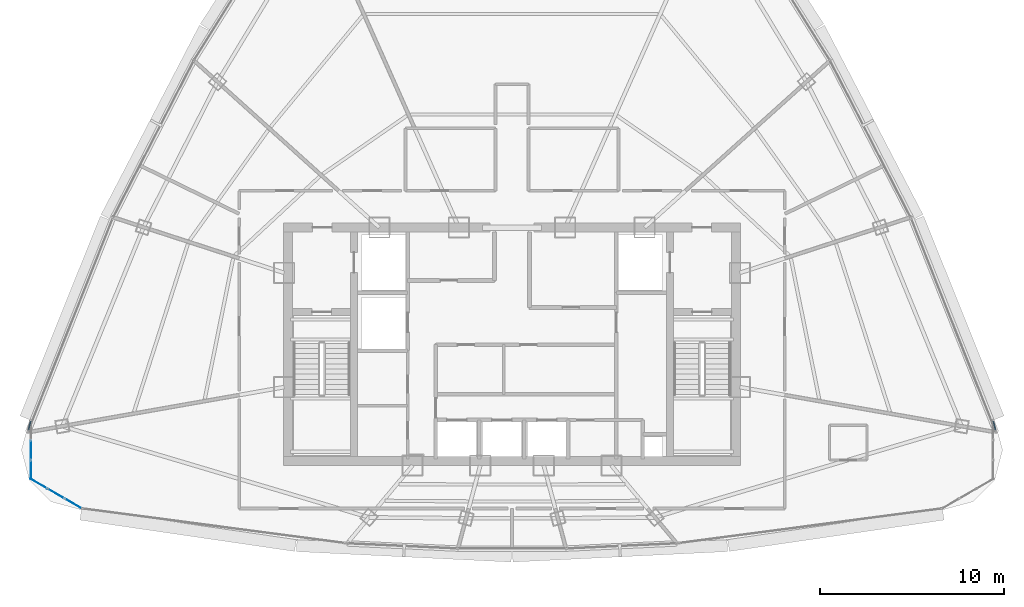
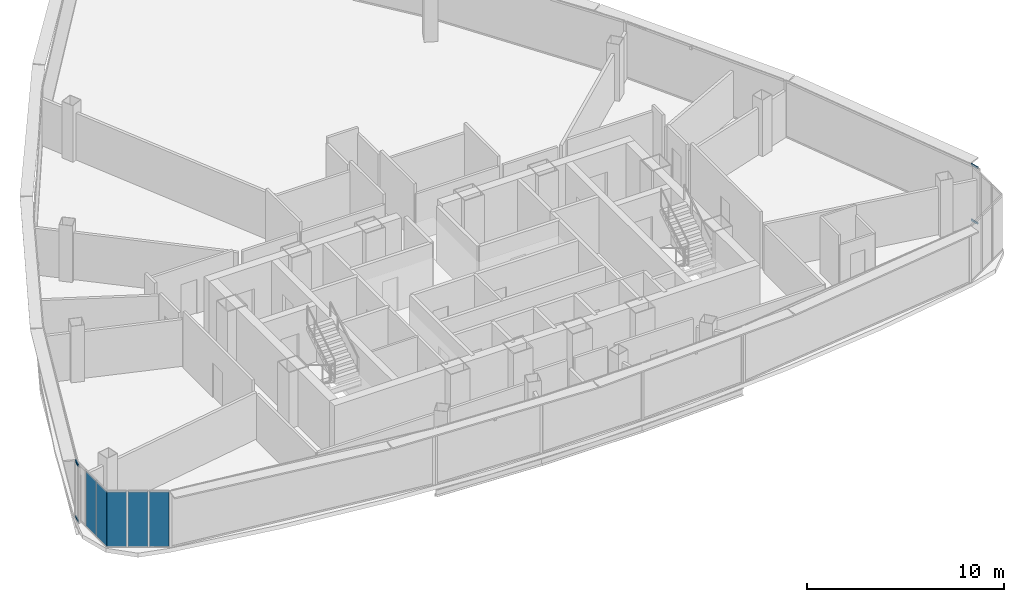
# One storey, part 20 of 29: 5 plates, 4 members, 4 elements without a shape of their own.
"""IFC4 building model written with IfcOpenShell, lengths in metres."""

import ifcopenshell
import ifcopenshell.guid

model = None  # the IFC model being written
_history = None  # IfcOwnerHistory: only IFC2X3 demands one
_inside = {}  # id of a spatial element -> (the spatial element, [elements in it])
_under = {}  # id of a project, library or spatial element -> (it, [spatial elements below it])
_declared = {}  # id of a project -> (the project, [libraries it declares])
_typed = {}  # id of a type object -> (the type object, [elements of that type])
_made_of = {}  # id of a material, layer set ... -> (it, [elements and type objects made of it])


def new_model(schema):
    """Start an empty IFC model of exactly this schema.

    Asked for "IFC4X3", IfcOpenShell would pick the latest addendum, in which some entities
    have other attributes; the version numbers below select the first issue.
    IFC2X3 requires an IfcOwnerHistory on every rooted entity: one is made here for all.
    """
    global model, _history
    if schema == "IFC4X3":
        model = ifcopenshell.file(schema_version=(4, 3, 0, 0))
    else:
        model = ifcopenshell.file(schema=schema)
    _inside.clear()
    _under.clear()
    _declared.clear()
    _typed.clear()
    _made_of.clear()
    _history = None
    if model.schema == "IFC2X3":
        org = make("IfcOrganization", Name="unknown")
        user = make(
            "IfcPersonAndOrganization",
            ThePerson=make("IfcPerson", FamilyName="unknown"),
            TheOrganization=org,
        )
        app = make(
            "IfcApplication",
            ApplicationDeveloper=org,
            Version="unknown",
            ApplicationFullName="unknown",
            ApplicationIdentifier="unknown",
        )
        _history = make(
            "IfcOwnerHistory",
            OwningUser=user,
            OwningApplication=app,
            ChangeAction="ADDED",
            CreationDate=0,
        )
    return model


def make(cls, **values):
    """One entity of the class cls with the attributes given. An attribute that is None is left unset."""
    return model.create_entity(
        cls, **{name: value for name, value in values.items() if value is not None}
    )


def rooted(cls, **values):
    """An entity with a GlobalId (a new one), such as an element, a storey or a relation."""
    return make(cls, GlobalId=ifcopenshell.guid.new(), OwnerHistory=_history, **values)


def si_unit(unit_type, name, prefix=None):
    """IfcSIUnit, for example si_unit("LENGTHUNIT", "METRE", prefix="MILLI")."""
    return make("IfcSIUnit", UnitType=unit_type, Prefix=prefix, Name=name)


def assignment(units):
    """IfcUnitAssignment: the units of a project."""
    return None if units is None else make("IfcUnitAssignment", Units=units)


def point(xyz):
    """IfcCartesianPoint."""
    return None if xyz is None else make("IfcCartesianPoint", Coordinates=xyz)


def direction(xyz):
    """IfcDirection."""
    return None if xyz is None else make("IfcDirection", DirectionRatios=xyz)


def frame(location, z_axis=None, x_axis=None):
    """IfcAxis2Placement3D, a coordinate frame: its origin and axes. An axis left out is left unset."""
    return make(
        "IfcAxis2Placement3D",
        Location=point(location),
        Axis=direction(z_axis),
        RefDirection=direction(x_axis),
    )


def frame_2d(location, x_axis=None):
    """IfcAxis2Placement2D, a coordinate frame in the plane: its origin and x axis."""
    return make(
        "IfcAxis2Placement2D", Location=point(location), RefDirection=direction(x_axis)
    )


def origin():
    """The frame at (0, 0, 0) with its axes left unset."""
    return frame((0.0, 0.0, 0.0))


def origin_2d():
    """The frame at (0, 0) in the plane with its x axis left unset."""
    return frame_2d((0.0, 0.0))


def place(relative_to, where):
    """IfcLocalPlacement: puts the frame where relative to a parent placement (None: the world)."""
    return make(
        "IfcLocalPlacement", PlacementRelTo=relative_to, RelativePlacement=where
    )


def context(
    kind, dimensions, precision=None, world=None, true_north=None, identifier=None
):
    """IfcGeometricRepresentationContext, for example the 3D "Model" context."""
    return make(
        "IfcGeometricRepresentationContext",
        ContextIdentifier=identifier,
        ContextType=kind,
        CoordinateSpaceDimension=dimensions,
        Precision=precision,
        WorldCoordinateSystem=world,
        TrueNorth=true_north,
    )


def subcontext(parent, identifier, kind, view, scale=None):
    """IfcGeometricRepresentationSubContext, for example "Body" below "Model"."""
    return make(
        "IfcGeometricRepresentationSubContext",
        ContextIdentifier=identifier,
        ContextType=kind,
        ParentContext=parent,
        TargetScale=scale,
        TargetView=view,
    )


def project(units=None, contexts=None):
    """IfcProject with its units and contexts."""
    return rooted(
        "IfcProject",
        Name="project",
        RepresentationContexts=contexts,
        UnitsInContext=assignment(units),
    )


def spatial(cls, under=None, at=None, **own):
    """A site, building, storey or space (cls), placed at a placement, below another one or the project."""
    s = rooted(cls, ObjectPlacement=at, **own)
    if under is not None:
        _under.setdefault(under.id(), (under, []))[1].append(s)
    return s


def profile(cls, at=None, kind="AREA", **sizes):
    """A parametric profile (cls). Its sizes go by their IFC names, for example OverallWidth=200.0."""
    return make(cls, ProfileType=kind, Position=at, **sizes)


def rectangle(**sizes):
    """IfcRectangleProfileDef."""
    return profile("IfcRectangleProfileDef", **sizes)


def hollow_rectangle(**sizes):
    """IfcRectangleHollowProfileDef."""
    return profile("IfcRectangleHollowProfileDef", **sizes)


def extrude(swept, where, along, depth):
    """IfcExtrudedAreaSolid: the profile swept, set in the frame where, extruded along a direction by depth."""
    return make(
        "IfcExtrudedAreaSolid",
        SweptArea=swept,
        Position=where,
        ExtrudedDirection=direction(along),
        Depth=depth,
    )


def shape(context_of_items, identifier, shape_type, items):
    """IfcShapeRepresentation: the items that make up one representation, for example the "Body"."""
    return make(
        "IfcShapeRepresentation",
        ContextOfItems=context_of_items,
        RepresentationIdentifier=identifier,
        RepresentationType=shape_type,
        Items=items,
    )


def source(mapping_origin, context_of_items, identifier, shape_type, items):
    """IfcRepresentationMap: a shape defined once, which mapped items show again and again."""
    return make(
        "IfcRepresentationMap",
        MappingOrigin=mapping_origin,
        MappedRepresentation=shape(context_of_items, identifier, shape_type, items),
    )


def transform(
    local_origin,
    x_axis=None,
    y_axis=None,
    z_axis=None,
    scale=None,
    scale2=None,
    scale3=None,
    uniform=True,
):
    """IfcCartesianTransformationOperator3D, or its non-uniform kind. x_axis, y_axis, z_axis: its Axis1, 2, 3."""
    if uniform:
        return make(
            "IfcCartesianTransformationOperator3D",
            Axis1=direction(x_axis),
            Axis2=direction(y_axis),
            LocalOrigin=point(local_origin),
            Scale=scale,
            Axis3=direction(z_axis),
        )
    return make(
        "IfcCartesianTransformationOperator3DnonUniform",
        Axis1=direction(x_axis),
        Axis2=direction(y_axis),
        LocalOrigin=point(local_origin),
        Scale=scale,
        Axis3=direction(z_axis),
        Scale2=scale2,
        Scale3=scale3,
    )


def mapped(mapping_source, mapping_target):
    """IfcMappedItem: shows the shape of a source again, moved by a transform."""
    return make(
        "IfcMappedItem", MappingSource=mapping_source, MappingTarget=mapping_target
    )


def material(Name=None, Category=None):
    """IfcMaterial."""
    return make("IfcMaterial", Name=Name, Category=Category)


def layer(
    of_material, thickness, ventilated=None, Name=None, Category=None, Priority=None
):
    """IfcMaterialLayer: one layer of a wall or slab, of a material (None: an air gap)."""
    return make(
        "IfcMaterialLayer",
        Material=of_material,
        LayerThickness=thickness,
        IsVentilated=ventilated,
        Name=Name,
        Category=Category,
        Priority=Priority,
    )


def layer_set(layers, Name=None):
    """IfcMaterialLayerSet."""
    return make("IfcMaterialLayerSet", MaterialLayers=layers, LayerSetName=Name)


def material_profile(
    of_material, cross_section, Name=None, Category=None, Priority=None
):
    """IfcMaterialProfile: a cross section and its material."""
    return make(
        "IfcMaterialProfile",
        Name=Name,
        Material=of_material,
        Profile=cross_section,
        Priority=Priority,
        Category=Category,
    )


def profile_set(profiles, Name=None, composite=None):
    """IfcMaterialProfileSet."""
    return make(
        "IfcMaterialProfileSet",
        Name=Name,
        MaterialProfiles=profiles,
        CompositeProfile=composite,
    )


def made_of(thing, what):
    """Note that an element or type object is made of a material, layer set ...; save() writes the relation."""
    if what is not None:
        _made_of.setdefault(what.id(), (what, []))[1].append(thing)
    return thing


def type_object(cls, material=None, **own):
    """A type object (cls), such as IfcWallType, which elements share."""
    return made_of(rooted(cls, **own), material)


def element(
    cls,
    number,
    at=None,
    inside=None,
    cuts=None,
    type_object=None,
    material=None,
    context=None,
    identifier="Body",
    shape_type=None,
    held_by="IfcProductDefinitionShape",
    body=None,
    shapes=None,
    **own,
):
    """One element of the class cls, such as IfcWall. Its Tag is "e" and its number.

    at: its placement. inside: the storey or other place that contains it. cuts: it is an
    opening in that element (IfcRelVoidsElement). A single representation is given by context,
    identifier, shape_type and body (its items); several are given by shapes. held_by: the class
    of the entity that holds the representations. save() writes the other relations.
    """
    e = rooted(cls, Tag="e%d" % number, ObjectPlacement=at, **own)
    if body is not None:
        shapes = [shape(context, identifier, shape_type, body)]
    if shapes is not None:
        e.Representation = make(held_by, Representations=shapes)
    if inside is not None:
        _inside.setdefault(inside.id(), (inside, []))[1].append(e)
    if cuts is not None:
        rooted(
            "IfcRelVoidsElement", RelatingBuildingElement=cuts, RelatedOpeningElement=e
        )
    if type_object is not None:
        _typed.setdefault(type_object.id(), (type_object, []))[1].append(e)
    return made_of(e, material)


def aggregate(whole, parts):
    """IfcRelAggregates: a whole, such as a stair, and the parts it consists of."""
    return rooted("IfcRelAggregates", RelatingObject=whole, RelatedObjects=parts)


def save(model, path):
    """Write the relations noted so far, then the file.

    IfcRelAggregates (storeys below a building ...), IfcRelContainedInSpatialStructure (elements
    in a storey), IfcRelDefinesByType, IfcRelAssociatesMaterial and IfcRelDeclares: one each for
    every whole, place, type object, material and project.
    """
    for whole, parts in _under.values():
        aggregate(whole, parts)
    for where, things in _inside.values():
        rooted(
            "IfcRelContainedInSpatialStructure",
            RelatedElements=things,
            RelatingStructure=where,
        )
    for kind, things in _typed.values():
        rooted("IfcRelDefinesByType", RelatedObjects=things, RelatingType=kind)
    for what, things in _made_of.values():
        rooted("IfcRelAssociatesMaterial", RelatedObjects=things, RelatingMaterial=what)
    for by, libraries in _declared.values():
        rooted("IfcRelDeclares", RelatingContext=by, RelatedDefinitions=libraries)
    model.write(path)


model = new_model("IFC4")

# Units and contexts
model_context = context("Model", 3, precision=1e-05, world=origin(), true_north=direction((0.0, 1.0)))
body_context = subcontext(model_context, "Body", "Model", "MODEL_VIEW")
ifc_project = project(units=[si_unit("LENGTHUNIT", "METRE"), si_unit("AREAUNIT", "SQUARE_METRE"), si_unit("VOLUMEUNIT", "CUBIC_METRE"), si_unit("PLANEANGLEUNIT", "RADIAN"), si_unit("MASSUNIT", "GRAM", prefix="KILO"), si_unit("THERMODYNAMICTEMPERATUREUNIT", "KELVIN"), si_unit("POWERUNIT", "WATT")], contexts=[model_context])

# Site, building, storey
site_placement = place(None, origin())
site = spatial("IfcSite", under=ifc_project, at=site_placement, CompositionType="ELEMENT")
building_placement = place(site_placement, origin())
building = spatial("IfcBuilding", under=site, at=building_placement, Name="Yunzhuo Pagoda Commons", CompositionType="ELEMENT")
storey_placement = place(building_placement, frame((0.0, 0.0, 359.260009765625)))
storey = spatial("IfcBuildingStorey", under=building, at=storey_placement, Name="L90", CompositionType="ELEMENT", Elevation=359.260009765625)

# Curtain wall, members
ifc_material_1 = material(Name="Anodized aluminium 6063-T6", Category="aluminium")
ifc_layer_1 = layer(ifc_material_1, 0.139892578125)
ifc_layer_set_1 = layer_set([ifc_layer_1], Name="Anodized aluminium 6063-T6")
curtain_wall_type_1 = type_object("IfcCurtainWallType", Name="CW-HI High-Zone Ribbon Curtain Wall", PredefinedType="NOTDEFINED", material=ifc_layer_set_1)
curtain_wall_1_placement = place(storey_placement, origin())
curtain_wall_1 = element("IfcCurtainWall", 1, at=curtain_wall_1_placement, inside=storey, type_object=curtain_wall_type_1, Name="L90 curtain wall CW-L90-F2B1", PredefinedType="NOTDEFINED")
ifc_material_profile = material_profile(ifc_material_1, hollow_rectangle(XDim=0.054931640625, YDim=0.1201171875, WallThickness=0.00341796875, at=origin_2d()), Name="Anodized aluminium 6063-T6")
ifc_profile_set = profile_set([ifc_material_profile], Name="Anodized aluminium 6063-T6")
member_type = type_object("IfcMemberType", Name="CW-HI-T Transom RHS 120x55x3.5", PredefinedType="USERDEFINED", material=ifc_profile_set)
shared_shape_1 = source(origin(), body_context, "Body", "SweptSolid", [
    extrude(hollow_rectangle(XDim=0.054931640625, YDim=0.1201171875, WallThickness=0.00341796875, at=origin_2d()), origin(), (0.0, 0.0, 1.0), 0.4892578125),
])
member_1_placement = place(storey_placement, frame((74.196044921875, 29.659423828125, 0.027587890625), z_axis=(0.244531285376, -0.969641403031, 0.0), x_axis=(0.969641403031, 0.244531285376, 0.0)))
member_1 = element("IfcMember", 2, at=member_1_placement, type_object=member_type, Name="CW transom 1.1", ObjectType="TRANSOM", PredefinedType="USERDEFINED", context=body_context, shape_type="MappedRepresentation", body=[
    mapped(shared_shape_1, transform((0.0, 0.0, 0.0), scale=1.0)),
])
member_2_placement = place(storey_placement, frame((74.196044921875, 29.659423828125, 3.46240234375), z_axis=(0.244531285376, -0.969641403031, 0.0), x_axis=(0.969641403031, 0.244531285376, 0.0)))
member_2 = element("IfcMember", 3, at=member_2_placement, type_object=member_type, Name="CW transom 1.2", ObjectType="TRANSOM", PredefinedType="USERDEFINED", context=body_context, shape_type="MappedRepresentation", body=[
    mapped(shared_shape_1, transform((0.0, 0.0, 0.0), scale=1.0)),
])
aggregate(curtain_wall_1, [member_1, member_2])

curtain_wall_2_placement = place(storey_placement, origin())
curtain_wall_2 = element("IfcCurtainWall", 4, at=curtain_wall_2_placement, inside=storey, type_object=curtain_wall_type_1, Name="L90 curtain wall CW-L90-F3B5", PredefinedType="NOTDEFINED")
member_3_placement = place(storey_placement, frame((21.684326171875, 29.18505859375, 0.027587890625), z_axis=(0.244531285376, 0.969641403031, 0.0), x_axis=(-0.969641403031, 0.244531285376, 0.0)))
member_3 = element("IfcMember", 5, at=member_3_placement, type_object=member_type, Name="CW transom 1.1", ObjectType="TRANSOM", PredefinedType="USERDEFINED", context=body_context, shape_type="MappedRepresentation", body=[
    mapped(shared_shape_1, transform((0.0, 0.0, 0.0), scale=1.0)),
])
member_4_placement = place(storey_placement, frame((21.684326171875, 29.18505859375, 3.46240234375), z_axis=(0.244531285376, 0.969641403031, 0.0), x_axis=(-0.969641403031, 0.244531285376, 0.0)))
member_4 = element("IfcMember", 6, at=member_4_placement, type_object=member_type, Name="CW transom 1.2", ObjectType="TRANSOM", PredefinedType="USERDEFINED", context=body_context, shape_type="MappedRepresentation", body=[
    mapped(shared_shape_1, transform((0.0, 0.0, 0.0), scale=1.0)),
])
aggregate(curtain_wall_2, [member_3, member_4])

# Curtain wall, plate
ifc_layer_2 = layer(ifc_material_1, 0.1298828125)
ifc_layer_set_2 = layer_set([ifc_layer_2], Name="Anodized aluminium 6063-T6")
curtain_wall_type_2 = type_object("IfcCurtainWallType", Name="CW-VTX Rounded Corner Curtain Wall", PredefinedType="NOTDEFINED", material=ifc_layer_set_2)
curtain_wall_3_placement = place(storey_placement, origin())
curtain_wall_3 = element("IfcCurtainWall", 7, at=curtain_wall_3_placement, inside=storey, type_object=curtain_wall_type_2, Name="L90 curtain wall CW-L90-VTX1S1", PredefinedType="NOTDEFINED")
ifc_material_2 = material(Name="Tempered low-e double glazing", Category="glass")
ifc_layer_3 = layer(ifc_material_2, 0.02587890625)
ifc_layer_set_3 = layer_set([ifc_layer_3], Name="Tempered low-e double glazing")
plate_type = type_object("IfcPlateType", Name="CW-VTX-P Low-E Double Glazing 26", PredefinedType="CURTAIN_PANEL", material=ifc_layer_set_3)
shared_shape_2 = source(origin(), body_context, "Body", "SweptSolid", [
    extrude(rectangle(XDim=1.001220703125, YDim=0.028076171875, at=origin_2d()), origin(), (0.0, 0.0, 1.0), 3.3798828125),
])
plate_1_placement = place(storey_placement, frame((21.808837890625, 27.02197265625, 0.054931640625), z_axis=(0.0, 0.0, 1.0), x_axis=(-0.003598647958, -0.999993524845, 0.0)))
plate_1 = element("IfcPlate", 8, at=plate_1_placement, type_object=plate_type, Name="CW panel 3.1", PredefinedType="CURTAIN_PANEL", context=body_context, shape_type="MappedRepresentation", body=[
    mapped(shared_shape_2, transform((0.0, 0.0, 0.0), scale=1.0)),
])

# Curtain wall, plates
curtain_wall_4_placement = place(storey_placement, origin())
curtain_wall_4 = element("IfcCurtainWall", 9, at=curtain_wall_4_placement, inside=storey, type_object=curtain_wall_type_2, Name="L90 curtain wall CW-L90-VTX1S2", PredefinedType="NOTDEFINED")
plate_2_placement = place(storey_placement, frame((22.247802734375, 26.25732421875, 0.054931640625), z_axis=(0.0, 0.0, 1.0), x_axis=(0.865437516394, -0.501016871191, 0.0)))
plate_2 = element("IfcPlate", 10, at=plate_2_placement, type_object=plate_type, Name="CW panel 1.1", PredefinedType="CURTAIN_PANEL", context=body_context, shape_type="MappedRepresentation", body=[
    mapped(shared_shape_2, transform((0.0, 0.0, 0.0), scale=1.0)),
])
plate_3_placement = place(storey_placement, frame((24.099853515625, 25.185302734375, 0.054931640625), z_axis=(0.0, 0.0, 1.0), x_axis=(0.865437516394, -0.501016871191, 0.0)))
plate_3 = element("IfcPlate", 11, at=plate_3_placement, type_object=plate_type, Name="CW panel 3.1", PredefinedType="CURTAIN_PANEL", context=body_context, shape_type="MappedRepresentation", body=[
    mapped(shared_shape_2, transform((0.0, 0.0, 0.0), scale=1.0)),
])

# Plate
shared_shape_3 = source(origin(), body_context, "Body", "SweptSolid", [
    extrude(rectangle(XDim=1.02880859375, YDim=0.028076171875, at=origin_2d()), origin(), (0.0, 0.0, 1.0), 3.3798828125),
])
plate_4_placement = place(storey_placement, frame((21.812744140625, 28.091796875, 0.054931640625), z_axis=(0.0, 0.0, 1.0), x_axis=(-0.003598647958, -0.999993524845, 0.0)))
plate_4 = element("IfcPlate", 12, at=plate_4_placement, type_object=plate_type, Name="CW panel 2.1", PredefinedType="CURTAIN_PANEL", context=body_context, shape_type="MappedRepresentation", body=[
    mapped(shared_shape_3, transform((0.0, 0.0, 0.0), scale=1.0)),
])

aggregate(curtain_wall_3, [plate_4, plate_1])

plate_5_placement = place(storey_placement, frame((23.173828125, 25.721435546875, 0.054931640625), z_axis=(0.0, 0.0, 1.0), x_axis=(0.865437516394, -0.501016871191, 0.0)))
plate_5 = element("IfcPlate", 13, at=plate_5_placement, type_object=plate_type, Name="CW panel 2.1", PredefinedType="CURTAIN_PANEL", context=body_context, shape_type="MappedRepresentation", body=[
    mapped(shared_shape_3, transform((0.0, 0.0, 0.0), scale=1.0)),
])

aggregate(curtain_wall_4, [plate_2, plate_5, plate_3])

save(model, "model.ifc")
